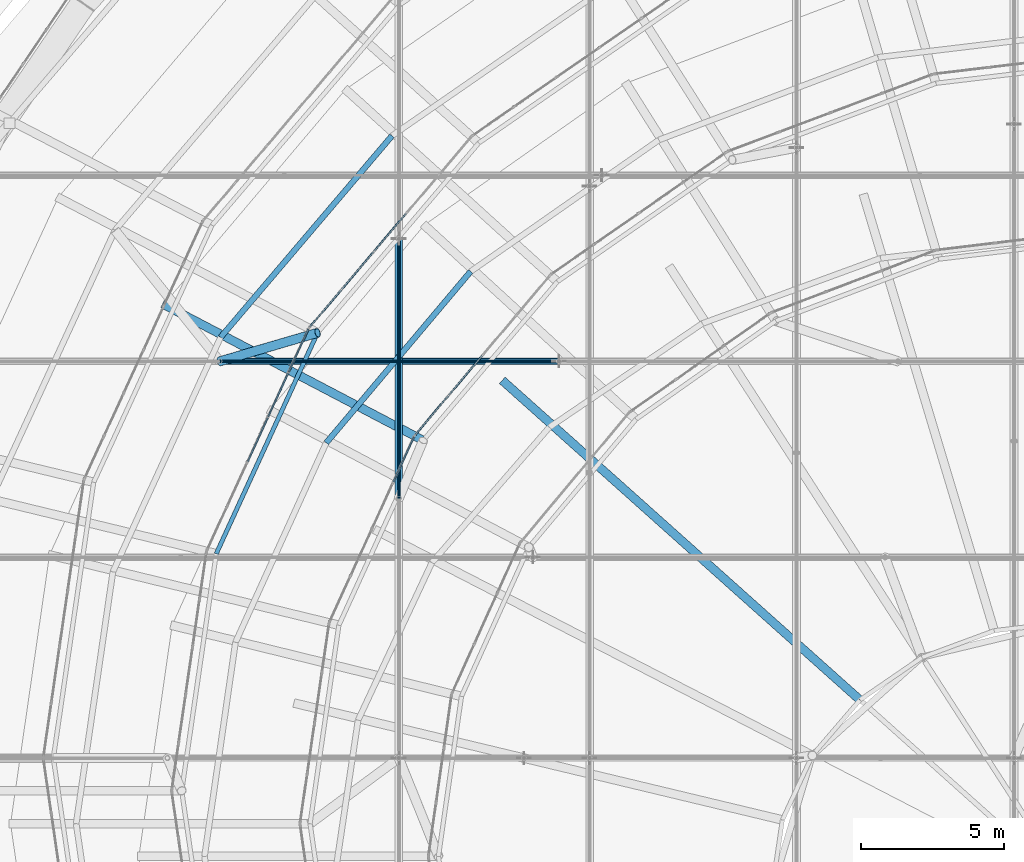
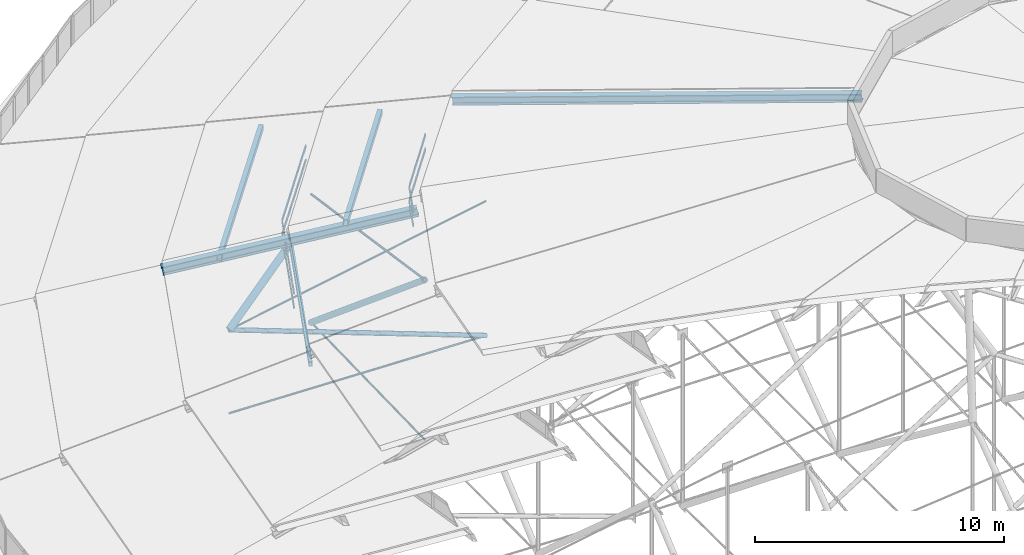
# One storey, part 48 of 173: 30 members, 4 elements without a shape of their own.
"""IFC4 building model written with IfcOpenShell, lengths in metres."""

from ifc_helpers import new_model, si_unit, direction, frame, origin, origin_2d, place, context, subcontext, project, spatial, rectangle, hollow_rectangle, circle, hollow_circle, i_section, extrude, material, material_profile, profile_set, type_object, element, aggregate, save


model = new_model("IFC4")

# Units and contexts
model_context = context("Model", 3, precision=1e-05, world=origin(), true_north=direction((0.0, 1.0)))
body_context = subcontext(model_context, "Body", "Model", "MODEL_VIEW")
ifc_project = project(units=[si_unit("LENGTHUNIT", "METRE"), si_unit("AREAUNIT", "SQUARE_METRE"), si_unit("VOLUMEUNIT", "CUBIC_METRE"), si_unit("PLANEANGLEUNIT", "RADIAN"), si_unit("MASSUNIT", "GRAM", prefix="KILO")], contexts=[model_context])

# Site, building, storey
site_placement = place(None, origin())
site = spatial("IfcSite", under=ifc_project, at=site_placement, CompositionType="ELEMENT")
building_placement = place(site_placement, origin())
building = spatial("IfcBuilding", under=site, at=building_placement, Name="Glasvene Arena", CompositionType="ELEMENT")
storey_placement = place(building_placement, frame((0.0, 0.0, 28.800048828125)))
storey = spatial("IfcBuildingStorey", under=building, at=storey_placement, Name="RF", CompositionType="ELEMENT", Elevation=28.800048828125)

# Curtain wall, members
ifc_material_1 = material(Name="Low-emissivity laminated double glazing", Category="glass")
curtain_wall_type_1 = type_object("IfcCurtainWallType", Name="CW-PET2-882x75", PredefinedType="USERDEFINED", material=ifc_material_1)
curtain_wall_1_placement = place(storey_placement, frame((65.164794921875, 94.795654296875, 0.0)))
curtain_wall_1 = element("IfcCurtainWall", 1, at=curtain_wall_1_placement, inside=storey, type_object=curtain_wall_type_1, Name="Petal ring 2-3 clerestory curtain wall 10", ObjectType="CURTAIN WALL", PredefinedType="USERDEFINED")
ifc_material_2 = material(Name="Anodised architectural aluminium", Category="aluminium")
ifc_material_profile_1 = material_profile(ifc_material_2, rectangle(XDim=0.050048828125, YDim=0.1201171875, at=origin_2d()), Name="ALU TRANSOM 50x120")
ifc_profile_set_1 = profile_set([ifc_material_profile_1], Name="Anodised architectural aluminium")
member_type_1 = type_object("IfcMemberType", Name="CW-TRN-120", PredefinedType="USERDEFINED", material=ifc_profile_set_1)
member_1_placement = place(storey_placement, frame((62.86669921875, 92.08837890625, 5.204833984375), z_axis=(-0.647110507983, -0.762396216188, 0.0), x_axis=(0.762396216188, -0.647110507983, 0.0)))
member_1 = element("IfcMember", 2, at=member_1_placement, type_object=member_type_1, Name="CW-089 transom 3.1", ObjectType="TRANSOM", PredefinedType="USERDEFINED", context=body_context, shape_type="SweptSolid", body=[
    extrude(rectangle(XDim=0.050048828125, YDim=0.1201171875, at=origin_2d()), origin(), (0.0, 0.0, 1.0), 1.713134765625),
])
member_2_placement = place(storey_placement, frame((62.86669921875, 92.08837890625, 5.905029296875), z_axis=(-0.647110507983, -0.762396216188, 0.0), x_axis=(0.762396216188, -0.647110507983, 0.0)))
member_2 = element("IfcMember", 3, at=member_2_placement, type_object=member_type_1, Name="CW-089 transom 3.2", ObjectType="TRANSOM", PredefinedType="USERDEFINED", context=body_context, shape_type="SweptSolid", body=[
    extrude(rectangle(XDim=0.050048828125, YDim=0.1201171875, at=origin_2d()), origin(), (0.0, 0.0, 1.0), 1.713134765625),
])
member_3_placement = place(storey_placement, frame((61.7255859375, 90.744140625, 5.204833984375), z_axis=(-0.647180817857, -0.76233653264, 0.0), x_axis=(0.76233653264, -0.647180817857, 0.0)))
member_3 = element("IfcMember", 4, at=member_3_placement, type_object=member_type_1, Name="CW-089 transom 4.1", ObjectType="TRANSOM", PredefinedType="USERDEFINED", context=body_context, shape_type="SweptSolid", body=[
    extrude(rectangle(XDim=0.050048828125, YDim=0.1201171875, at=origin_2d()), origin(), (0.0, 0.0, 1.0), 1.713134765625),
])
member_4_placement = place(storey_placement, frame((61.7255859375, 90.744140625, 5.905029296875), z_axis=(-0.647180817857, -0.76233653264, 0.0), x_axis=(0.76233653264, -0.647180817857, 0.0)))
member_4 = element("IfcMember", 5, at=member_4_placement, type_object=member_type_1, Name="CW-089 transom 4.2", ObjectType="TRANSOM", PredefinedType="USERDEFINED", context=body_context, shape_type="SweptSolid", body=[
    extrude(rectangle(XDim=0.050048828125, YDim=0.1201171875, at=origin_2d()), origin(), (0.0, 0.0, 1.0), 1.713134765625),
])
member_5_placement = place(storey_placement, frame((60.58447265625, 89.400146484375, 5.204833984375), z_axis=(-0.647127758529, -0.762381573847, 0.0), x_axis=(0.762381573847, -0.647127758529, 0.0)))
member_5 = element("IfcMember", 6, at=member_5_placement, type_object=member_type_1, Name="CW-089 transom 5.1", ObjectType="TRANSOM", PredefinedType="USERDEFINED", context=body_context, shape_type="SweptSolid", body=[
    extrude(rectangle(XDim=0.050048828125, YDim=0.1201171875, at=origin_2d()), origin(), (0.0, 0.0, 1.0), 1.688232421875),
])
member_6_placement = place(storey_placement, frame((60.58447265625, 89.400146484375, 5.905029296875), z_axis=(-0.647127758529, -0.762381573847, 0.0), x_axis=(0.762381573847, -0.647127758529, 0.0)))
member_6 = element("IfcMember", 7, at=member_6_placement, type_object=member_type_1, Name="CW-089 transom 5.2", ObjectType="TRANSOM", PredefinedType="USERDEFINED", context=body_context, shape_type="SweptSolid", body=[
    extrude(rectangle(XDim=0.050048828125, YDim=0.1201171875, at=origin_2d()), origin(), (0.0, 0.0, 1.0), 1.688232421875),
])
aggregate(curtain_wall_1, [member_1, member_2, member_3, member_4, member_5, member_6])

curtain_wall_type_2 = type_object("IfcCurtainWallType", Name="CW-PET2-861x75", PredefinedType="USERDEFINED", material=ifc_material_1)
curtain_wall_2_placement = place(storey_placement, frame((59.459716796875, 88.074951171875, 0.0)))
curtain_wall_2 = element("IfcCurtainWall", 8, at=curtain_wall_2_placement, inside=storey, type_object=curtain_wall_type_2, Name="Petal ring 2-3 clerestory curtain wall 11", ObjectType="CURTAIN WALL", PredefinedType="USERDEFINED")
member_7_placement = place(storey_placement, frame((59.43896484375, 88.029541015625, 5.204833984375), z_axis=(-0.416593451122, -0.909092897609, 0.0), x_axis=(0.909092897609, -0.416593451122, 0.0)))
member_7 = element("IfcMember", 9, at=member_7_placement, type_object=member_type_1, Name="CW-088 transom 1.1", ObjectType="TRANSOM", PredefinedType="USERDEFINED", context=body_context, shape_type="SweptSolid", body=[
    extrude(rectangle(XDim=0.050048828125, YDim=0.1201171875, at=origin_2d()), origin(), (0.0, 0.0, 1.0), 1.646728515625),
])
member_8_placement = place(storey_placement, frame((59.43896484375, 88.029541015625, 5.905029296875), z_axis=(-0.416593451122, -0.909092897609, 0.0), x_axis=(0.909092897609, -0.416593451122, 0.0)))
member_8 = element("IfcMember", 10, at=member_8_placement, type_object=member_type_1, Name="CW-088 transom 1.2", ObjectType="TRANSOM", PredefinedType="USERDEFINED", context=body_context, shape_type="SweptSolid", body=[
    extrude(rectangle(XDim=0.050048828125, YDim=0.1201171875, at=origin_2d()), origin(), (0.0, 0.0, 1.0), 1.646728515625),
])
member_9_placement = place(storey_placement, frame((58.73193359375, 86.487060546875, 5.204833984375), z_axis=(-0.416518928458, -0.909127044057, 0.0), x_axis=(0.909127044057, -0.416518928458, 0.0)))
member_9 = element("IfcMember", 11, at=member_9_placement, type_object=member_type_1, Name="CW-088 transom 2.1", ObjectType="TRANSOM", PredefinedType="USERDEFINED", context=body_context, shape_type="SweptSolid", body=[
    extrude(rectangle(XDim=0.050048828125, YDim=0.1201171875, at=origin_2d()), origin(), (0.0, 0.0, 1.0), 1.671630859375),
])
member_10_placement = place(storey_placement, frame((58.73193359375, 86.487060546875, 5.905029296875), z_axis=(-0.416518928458, -0.909127044057, 0.0), x_axis=(0.909127044057, -0.416518928458, 0.0)))
member_10 = element("IfcMember", 12, at=member_10_placement, type_object=member_type_1, Name="CW-088 transom 2.2", ObjectType="TRANSOM", PredefinedType="USERDEFINED", context=body_context, shape_type="SweptSolid", body=[
    extrude(rectangle(XDim=0.050048828125, YDim=0.1201171875, at=origin_2d()), origin(), (0.0, 0.0, 1.0), 1.671630859375),
])
member_11_placement = place(storey_placement, frame((58.0146484375, 84.921630859375, 5.204833984375), z_axis=(-0.416518928458, -0.909127044057, 0.0), x_axis=(0.909127044057, -0.416518928458, 0.0)))
member_11 = element("IfcMember", 13, at=member_11_placement, type_object=member_type_1, Name="CW-088 transom 3.1", ObjectType="TRANSOM", PredefinedType="USERDEFINED", context=body_context, shape_type="SweptSolid", body=[
    extrude(rectangle(XDim=0.050048828125, YDim=0.1201171875, at=origin_2d()), origin(), (0.0, 0.0, 1.0), 1.671630859375),
])
member_12_placement = place(storey_placement, frame((58.0146484375, 84.921630859375, 5.905029296875), z_axis=(-0.416518928458, -0.909127044057, 0.0), x_axis=(0.909127044057, -0.416518928458, 0.0)))
member_12 = element("IfcMember", 14, at=member_12_placement, type_object=member_type_1, Name="CW-088 transom 3.2", ObjectType="TRANSOM", PredefinedType="USERDEFINED", context=body_context, shape_type="SweptSolid", body=[
    extrude(rectangle(XDim=0.050048828125, YDim=0.1201171875, at=origin_2d()), origin(), (0.0, 0.0, 1.0), 1.671630859375),
])
aggregate(curtain_wall_2, [member_7, member_8, member_9, member_10, member_11, member_12])

curtain_wall_type_3 = type_object("IfcCurtainWallType", Name="CW-PET3-737x75", PredefinedType="USERDEFINED", material=ifc_material_1)
curtain_wall_3_placement = place(storey_placement, frame((67.922119140625, 89.933349609375, 0.0)))
curtain_wall_3 = element("IfcCurtainWall", 15, at=curtain_wall_3_placement, inside=storey, type_object=curtain_wall_type_3, Name="Petal ring 3-4 clerestory curtain wall 10", ObjectType="CURTAIN WALL", PredefinedType="USERDEFINED")
member_13_placement = place(storey_placement, frame((65.526123046875, 87.09765625, 7.85498046875), z_axis=(-0.645337954572, -0.763897194908, 0.0), x_axis=(0.763897194908, -0.645337954572, 0.0)))
member_13 = element("IfcMember", 16, at=member_13_placement, type_object=member_type_1, Name="CW-095 transom 3.1", ObjectType="TRANSOM", PredefinedType="USERDEFINED", context=body_context, shape_type="SweptSolid", body=[
    extrude(rectangle(XDim=0.050048828125, YDim=0.1201171875, at=origin_2d()), origin(), (0.0, 0.0, 1.0), 1.793701171875),
])
member_14_placement = place(storey_placement, frame((65.526123046875, 87.09765625, 8.554931640625), z_axis=(-0.645337954572, -0.763897194908, 0.0), x_axis=(0.763897194908, -0.645337954572, 0.0)))
member_14 = element("IfcMember", 17, at=member_14_placement, type_object=member_type_1, Name="CW-095 transom 3.2", ObjectType="TRANSOM", PredefinedType="USERDEFINED", context=body_context, shape_type="SweptSolid", body=[
    extrude(rectangle(XDim=0.050048828125, YDim=0.1201171875, at=origin_2d()), origin(), (0.0, 0.0, 1.0), 1.793701171875),
])
member_15_placement = place(storey_placement, frame((64.336181640625, 85.689208984375, 7.85498046875), z_axis=(-0.645329428667, -0.763904397485, 0.0), x_axis=(0.763904397485, -0.645329428667, 0.0)))
member_15 = element("IfcMember", 18, at=member_15_placement, type_object=member_type_1, Name="CW-095 transom 4.1", ObjectType="TRANSOM", PredefinedType="USERDEFINED", context=body_context, shape_type="SweptSolid", body=[
    extrude(rectangle(XDim=0.050048828125, YDim=0.1201171875, at=origin_2d()), origin(), (0.0, 0.0, 1.0), 1.7685546875),
])
member_16_placement = place(storey_placement, frame((64.336181640625, 85.689208984375, 8.554931640625), z_axis=(-0.645329428667, -0.763904397485, 0.0), x_axis=(0.763904397485, -0.645329428667, 0.0)))
member_16 = element("IfcMember", 19, at=member_16_placement, type_object=member_type_1, Name="CW-095 transom 4.2", ObjectType="TRANSOM", PredefinedType="USERDEFINED", context=body_context, shape_type="SweptSolid", body=[
    extrude(rectangle(XDim=0.050048828125, YDim=0.1201171875, at=origin_2d()), origin(), (0.0, 0.0, 1.0), 1.7685546875),
])
aggregate(curtain_wall_3, [member_13, member_14, member_15, member_16])

curtain_wall_type_4 = type_object("IfcCurtainWallType", Name="CW-PET3-721x75", PredefinedType="USERDEFINED", material=ifc_material_1)
curtain_wall_4_placement = place(storey_placement, frame((63.16259765625, 84.300048828125, 0.0)))
curtain_wall_4 = element("IfcCurtainWall", 20, at=curtain_wall_4_placement, inside=storey, type_object=curtain_wall_type_4, Name="Petal ring 3-4 clerestory curtain wall 11", ObjectType="CURTAIN WALL", PredefinedType="USERDEFINED")
member_17_placement = place(storey_placement, frame((63.141845703125, 84.25439453125, 7.85498046875), z_axis=(-0.415048276668, -0.909799388896, 0.0), x_axis=(0.909799388896, -0.415048276668, 0.0)))
member_17 = element("IfcMember", 21, at=member_17_placement, type_object=member_type_1, Name="CW-094 transom 1.1", ObjectType="TRANSOM", PredefinedType="USERDEFINED", context=body_context, shape_type="SweptSolid", body=[
    extrude(rectangle(XDim=0.050048828125, YDim=0.1201171875, at=origin_2d()), origin(), (0.0, 0.0, 1.0), 1.7275390625),
])
member_18_placement = place(storey_placement, frame((63.141845703125, 84.25439453125, 8.554931640625), z_axis=(-0.415048276668, -0.909799388896, 0.0), x_axis=(0.909799388896, -0.415048276668, 0.0)))
member_18 = element("IfcMember", 22, at=member_18_placement, type_object=member_type_1, Name="CW-094 transom 1.2", ObjectType="TRANSOM", PredefinedType="USERDEFINED", context=body_context, shape_type="SweptSolid", body=[
    extrude(rectangle(XDim=0.050048828125, YDim=0.1201171875, at=origin_2d()), origin(), (0.0, 0.0, 1.0), 1.7275390625),
])
aggregate(curtain_wall_4, [member_17, member_18])

# Members
ifc_material_3 = material(Name="High-strength steel spiral strand S460", Category="steel")
ifc_material_profile_2 = material_profile(ifc_material_3, circle(Radius=0.052490234375, at=origin_2d()), Name="LCSS D105")
ifc_profile_set_2 = profile_set([ifc_material_profile_2], Name="High-strength steel spiral strand S460")
member_type_2 = type_object("IfcMemberType", Name="MB-CABLE-105", PredefinedType="USERDEFINED", material=ifc_profile_set_2)
member_19_placement = place(storey_placement, frame((62.610595703125, 82.101318359375, 5.499267578125), z_axis=(0.0, 0.989455776877, -0.144835305108), x_axis=(-1.0, 0.0, 0.0)))
element("IfcMember", 23, at=member_19_placement, inside=storey, type_object=member_type_2, Name="Upper lens roof cable NS09-06", ObjectType="ROOF CABLE", PredefinedType="USERDEFINED", context=body_context, shape_type="SweptSolid", body=[
    extrude(circle(Radius=0.052490234375, at=origin_2d()), origin(), (0.0, 0.0, 1.0), 9.198486328125),
])
ifc_material_profile_3 = material_profile(ifc_material_3, circle(Radius=0.03759765625, at=origin_2d()), Name="LCSS D75")
ifc_profile_set_3 = profile_set([ifc_material_profile_3], Name="High-strength steel spiral strand S460")
member_type_3 = type_object("IfcMemberType", Name="MB-CABLE-75", PredefinedType="USERDEFINED", material=ifc_profile_set_3)
member_20_placement = place(storey_placement, frame((56.33544921875, 86.90576171875, -1.753173828125), z_axis=(0.999543398648, 0.0, -0.030215794201), x_axis=(0.0, 1.0, 0.0)))
element("IfcMember", 24, at=member_20_placement, inside=storey, type_object=member_type_3, Name="Lower stabilization roof cable EW06-02", ObjectType="ROOF CABLE", PredefinedType="USERDEFINED", context=body_context, shape_type="SweptSolid", body=[
    extrude(circle(Radius=0.03759765625, at=origin_2d()), origin(), (0.0, 0.0, 1.0), 11.8935546875),
])
ifc_material_profile_4 = material_profile(ifc_material_3, circle(Radius=0.044921875, at=origin_2d()), Name="LCSS D90")
ifc_profile_set_4 = profile_set([ifc_material_profile_4], Name="High-strength steel spiral strand S460")
member_type_4 = type_object("IfcMemberType", Name="MB-CABLE-90", PredefinedType="USERDEFINED", material=ifc_profile_set_4)
member_21_placement = place(storey_placement, frame((62.610595703125, 82.101318359375, -2.328125), z_axis=(0.0, 0.999719613617, 0.023678981192), x_axis=(-1.0, 0.0, 0.0)))
element("IfcMember", 25, at=member_21_placement, inside=storey, type_object=member_type_4, Name="Lower stabilization roof cable NS09-06", ObjectType="ROOF CABLE", PredefinedType="USERDEFINED", context=body_context, shape_type="SweptSolid", body=[
    extrude(circle(Radius=0.044921875, at=origin_2d()), origin(), (0.0, 0.0, 1.0), 9.10400390625),
])
member_22_placement = place(storey_placement, frame((56.33544921875, 86.90576171875, 2.328857421875), z_axis=(0.984123082444, 0.0, 0.177487347723), x_axis=(0.0, 1.0, 0.0)))
element("IfcMember", 26, at=member_22_placement, inside=storey, type_object=member_type_4, Name="Upper lens roof cable EW06-02", ObjectType="ROOF CABLE", PredefinedType="USERDEFINED", context=body_context, shape_type="SweptSolid", body=[
    extrude(circle(Radius=0.044921875, at=origin_2d()), origin(), (0.0, 0.0, 1.0), 12.080078125),
])
ifc_material_4 = material(Name="Steel S355J2", Category="steel")
ifc_material_profile_5 = material_profile(ifc_material_4, i_section(OverallWidth=0.300048828125, OverallDepth=0.39990234375, WebThickness=0.013427734375, FlangeThickness=0.02392578125, FilletRadius=0.027099609375, at=origin_2d()), Name="HEB 400")
ifc_profile_set_5 = profile_set([ifc_material_profile_5], Name="Steel S355J2")
member_type_5 = type_object("IfcMemberType", Name="MB-CHORD-HEB400", PredefinedType="CHORD", material=ifc_profile_set_5)
member_23_placement = place(storey_placement, frame((54.372314453125, 88.89990234375, 4.75), z_axis=(0.858642662919, -0.449964994161, 0.245487843784), x_axis=(0.464168710264, 0.885746808299, 0.0)))
element("IfcMember", 27, at=member_23_placement, inside=storey, type_object=member_type_5, Name="Petal ring 3 radial rib 11", PredefinedType="CHORD", context=body_context, shape_type="SweptSolid", body=[
    extrude(i_section(OverallWidth=0.300048828125, OverallDepth=0.39990234375, WebThickness=0.013427734375, FlangeThickness=0.02392578125, FilletRadius=0.027099609375, at=origin_2d()), origin(), (0.0, 0.0, 1.0), 10.590576171875),
])
member_24_placement = place(storey_placement, frame((66.259521484375, 86.218994140625, 10.550048828125), z_axis=(0.737207566657, -0.658762871912, 0.150188156172), x_axis=(0.666320659335, 0.745665326365, 0.0)))
element("IfcMember", 28, at=member_24_placement, inside=storey, type_object=member_type_5, Name="Petal ring 5 radial rib 10", PredefinedType="CHORD", context=body_context, shape_type="SweptSolid", body=[
    extrude(i_section(OverallWidth=0.300048828125, OverallDepth=0.39990234375, WebThickness=0.013427734375, FlangeThickness=0.02392578125, FilletRadius=0.027099609375, at=origin_2d()), origin(), (0.0, 0.0, 1.0), 16.977294921875),
])
ifc_material_profile_6 = material_profile(ifc_material_4, hollow_circle(Radius=0.161865234375, WallThickness=0.01611328125, at=origin_2d()), Name="CHS 323.9x16.0")
ifc_profile_set_6 = profile_set([ifc_material_profile_6], Name="Steel S355J2")
member_type_6 = type_object("IfcMemberType", Name="MB-POST-CHS324", PredefinedType="BRACE", material=ifc_profile_set_6)
member_25_placement = place(storey_placement, frame((56.33544921875, 86.90576171875, 2.328857421875), z_axis=(0.791134867886, 0.231175041179, 0.566271773224), x_axis=(-0.280477830611, 0.959860503686, 0.0)))
element("IfcMember", 29, at=member_25_placement, inside=storey, type_object=member_type_6, Name="Petal ring 2 ridge support post 11", PredefinedType="BRACE", context=body_context, shape_type="SweptSolid", body=[
    extrude(hollow_circle(Radius=0.161865234375, WallThickness=0.01611328125, at=origin_2d()), origin(), (0.0, 0.0, 1.0), 4.33203125),
])
ifc_material_profile_7 = material_profile(ifc_material_4, hollow_rectangle(XDim=0.14990234375, YDim=0.25, WallThickness=0.010009765625, at=origin_2d()), Name="RHS 250x150x10.0")
ifc_profile_set_7 = profile_set([ifc_material_profile_7], Name="Steel S355J2")
member_type_7 = type_object("IfcMemberType", Name="MB-PURLIN-RHS250", PredefinedType="PURLIN", material=ifc_profile_set_7)
member_26_placement = place(storey_placement, frame((59.7626953125, 87.9072265625, 4.781982421875), z_axis=(-0.416805653685, -0.908995625433, 0.0), x_axis=(0.908995625433, -0.416805653685, 0.0)))
element("IfcMember", 30, at=member_26_placement, inside=storey, type_object=member_type_7, Name="Petal ring 2 ridge purlin 11", PredefinedType="PURLIN", context=body_context, shape_type="SweptSolid", body=[
    extrude(hollow_rectangle(XDim=0.14990234375, YDim=0.25, WallThickness=0.010009765625, at=origin_2d()), origin(), (0.0, 0.0, 1.0), 8.520751953125),
])
ifc_material_profile_8 = material_profile(ifc_material_4, hollow_rectangle(XDim=0.199951171875, YDim=0.300048828125, WallThickness=0.012451171875, at=origin_2d()), Name="RHS 300x200x12.5")
ifc_profile_set_8 = profile_set([ifc_material_profile_8], Name="Steel S355J2")
member_type_8 = type_object("IfcMemberType", Name="MB-PURLIN-RHS300", PredefinedType="PURLIN", material=ifc_profile_set_8)
member_27_placement = place(storey_placement, frame((62.371337890625, 94.812255859375, 5.33935546875), z_axis=(-0.647909031053, -0.761717721653, 0.0), x_axis=(0.761717721653, -0.647909031053, 0.0)))
element("IfcMember", 31, at=member_27_placement, inside=storey, type_object=member_type_8, Name="Petal ring 3 outer purlin 10", PredefinedType="PURLIN", context=body_context, shape_type="SweptSolid", body=[
    extrude(hollow_rectangle(XDim=0.199951171875, YDim=0.300048828125, WallThickness=0.012451171875, at=origin_2d()), origin(), (0.0, 0.0, 1.0), 9.271484375),
])
member_28_placement = place(storey_placement, frame((65.128662109375, 90.05615234375, 8.00048828125), z_axis=(-0.644415198953, -0.764675781857, 0.0), x_axis=(0.764675781857, -0.644415198953, 0.0)))
element("IfcMember", 32, at=member_28_placement, inside=storey, type_object=member_type_8, Name="Petal ring 4 outer purlin 10", PredefinedType="PURLIN", context=body_context, shape_type="SweptSolid", body=[
    extrude(hollow_rectangle(XDim=0.199951171875, YDim=0.300048828125, WallThickness=0.012451171875, at=origin_2d()), origin(), (0.0, 0.0, 1.0), 7.8544921875),
])
ifc_material_profile_9 = material_profile(ifc_material_4, hollow_circle(Radius=0.109619140625, WallThickness=0.010009765625, at=origin_2d()), Name="CHS 219.1x10.0")
ifc_profile_set_9 = profile_set([ifc_material_profile_9], Name="Steel S355J2")
member_type_9 = type_object("IfcMemberType", Name="MB-WEB-CHS219", PredefinedType="BRACE", material=ifc_profile_set_9)
member_29_placement = place(storey_placement, frame((56.33544921875, 86.90576171875, 2.328857421875), z_axis=(0.936760132168, 0.0, -0.349972077143), x_axis=(0.0, 1.0, 0.0)))
element("IfcMember", 33, at=member_29_placement, inside=storey, type_object=member_type_9, Name="Cable-truss diagonal web strut EW06-02", PredefinedType="BRACE", context=body_context, shape_type="SweptSolid", body=[
    extrude(hollow_circle(Radius=0.109619140625, WallThickness=0.010009765625, at=origin_2d()), origin(), (0.0, 0.0, 1.0), 12.690673828125),
])
ifc_material_profile_10 = material_profile(ifc_material_4, hollow_circle(Radius=0.136474609375, WallThickness=0.012451171875, at=origin_2d()), Name="CHS 273.0x12.5")
ifc_profile_set_10 = profile_set([ifc_material_profile_10], Name="Steel S355J2")
member_type_10 = type_object("IfcMemberType", Name="MB-WEB-CHS273", PredefinedType="BRACE", material=ifc_profile_set_10)
member_30_placement = place(storey_placement, frame((62.610595703125, 82.101318359375, 5.499267578125), z_axis=(0.0, 0.767093439996, -0.641535388202), x_axis=(-1.0, 0.0, 0.0)))
element("IfcMember", 34, at=member_30_placement, inside=storey, type_object=member_type_10, Name="Cable-truss diagonal web strut NS09-06", PredefinedType="BRACE", context=body_context, shape_type="SweptSolid", body=[
    extrude(hollow_circle(Radius=0.136474609375, WallThickness=0.012451171875, at=origin_2d()), origin(), (0.0, 0.0, 1.0), 11.864990234375),
])

save(model, "model.ifc")
